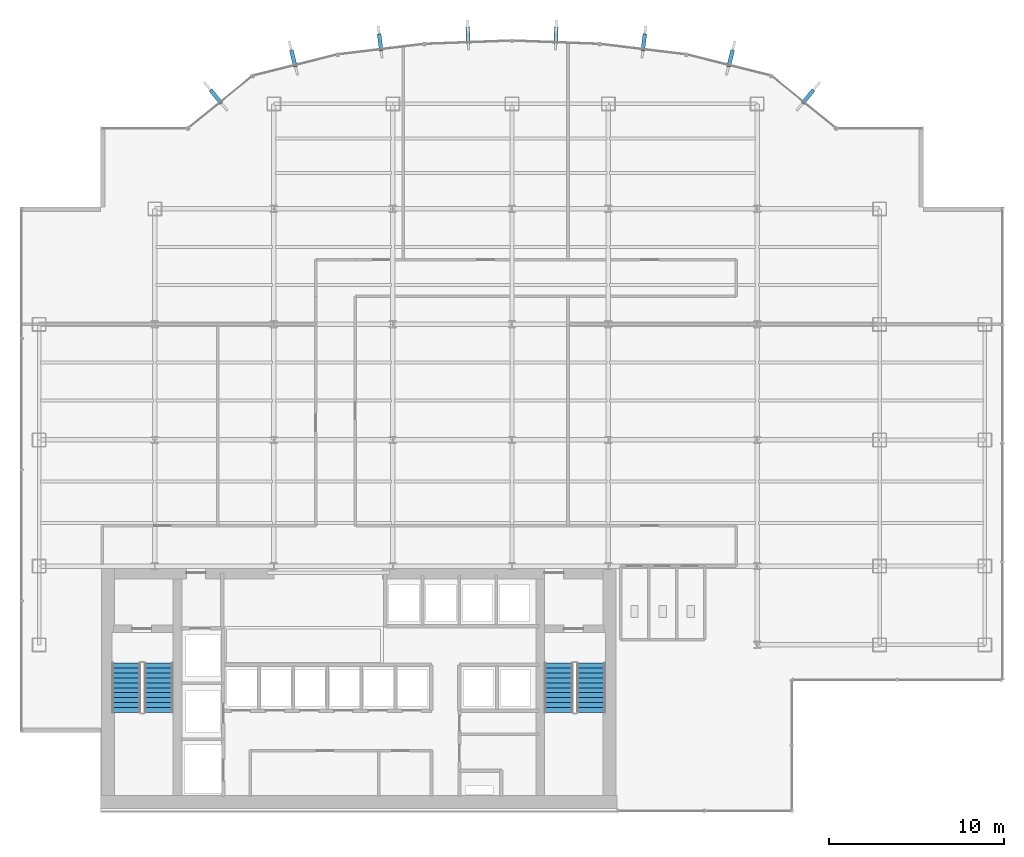
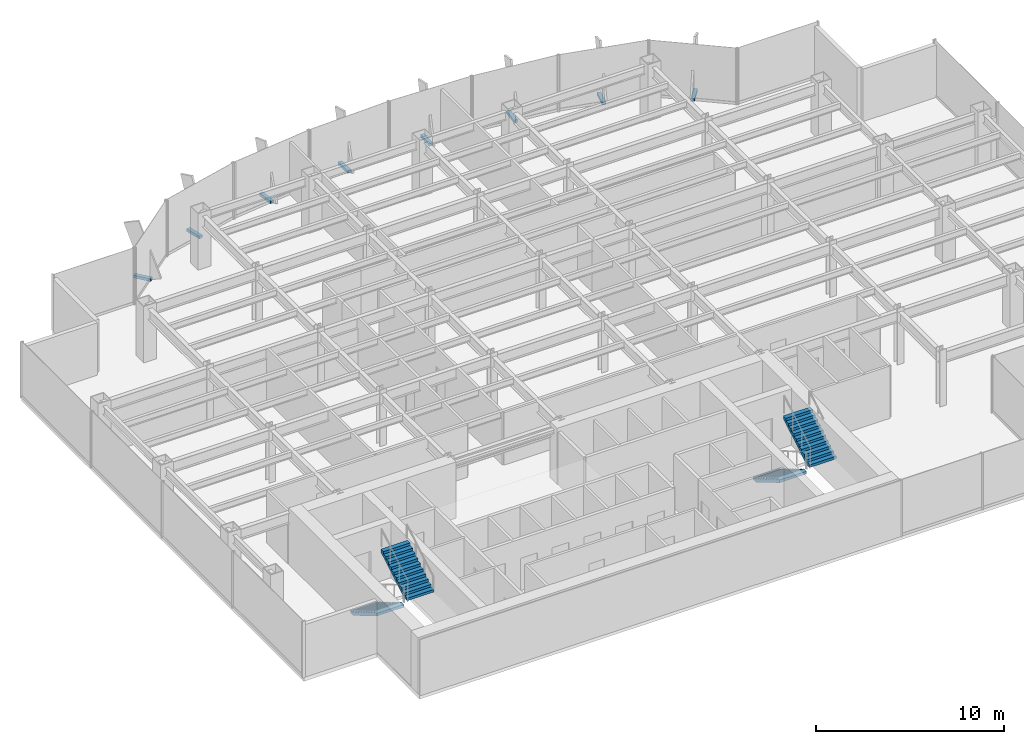
# One storey, part 23 of 26: 8 discrete accessories, 4 stair flights, 2 elements without a shape of their own.
"""IFC4 building model written with IfcOpenShell, lengths in metres."""

from ifc_helpers import new_model, si_unit, derived_unit, direction, frame, origin, origin_2d, place, context, subcontext, project, spatial, polyline, rectangle, outline, extrude, source, transform, mapped, material, type_object, element, aggregate, save


model = new_model("IFC4")

# Units and contexts
model_context = context("Model", 3, precision=1e-05, world=origin(), true_north=direction((0.0, 1.0)))
body_context = subcontext(model_context, "Body", "Model", "MODEL_VIEW")
ifc_project = project(units=[si_unit("LENGTHUNIT", "METRE"), si_unit("AREAUNIT", "SQUARE_METRE"), si_unit("VOLUMEUNIT", "CUBIC_METRE"), si_unit("PLANEANGLEUNIT", "RADIAN"), si_unit("MASSUNIT", "GRAM", prefix="KILO"), derived_unit("THERMALTRANSMITTANCEUNIT", [(si_unit("POWERUNIT", "WATT"), 1), (si_unit("LENGTHUNIT", "METRE"), -2), (si_unit("THERMODYNAMICTEMPERATUREUNIT", "KELVIN"), -1)])], contexts=[model_context])

# Site, building, storey
site_placement = place(None, origin())
site = spatial("IfcSite", under=ifc_project, at=site_placement, CompositionType="ELEMENT")
building_placement = place(site_placement, origin())
building = spatial("IfcBuilding", under=site, at=building_placement, Name="Skarnbrae Concourse Arena and Tower", CompositionType="ELEMENT")
storey_placement = place(building_placement, frame((0.0, 0.0, 92.300048828125)))
storey = spatial("IfcBuildingStorey", under=building, at=storey_placement, Name="L22", CompositionType="ELEMENT", Elevation=92.300048828125)

# Stair, stair flights
ifc_material_1 = material(Name="Concrete 40 MPa (C40/50)", Category="concrete")
stair_type = type_object("IfcStairType", Name="STAIR-DOGLEG-1650", PredefinedType="HALF_TURN_STAIR", material=ifc_material_1)
stair_1_placement = place(storey_placement, origin())
stair_1 = element("IfcStair", 1, at=stair_1_placement, inside=storey, type_object=stair_type, Name="L22 Protected Exit Stair ST-1", PredefinedType="HALF_TURN_STAIR")
stair_flight_type = type_object("IfcStairFlightType", Name="FLIGHT-STRAIGHT-1650", PredefinedType="STRAIGHT", material=ifc_material_1)
shared_shape_1 = source(origin(), body_context, "Body", "SweptSolid", [
    extrude(outline(polyline([(0.0, 0.0), (0.0, 0.166015625), (0.280029296875, 0.166015625), (0.280029296875, 0.331787109375), (0.56005859375, 0.331787109375), (0.56005859375, 0.497802734375), (0.840087890625, 0.497802734375), (0.840087890625, 0.66357421875), (1.1201171875, 0.66357421875), (1.1201171875, 0.82958984375), (1.39990234375, 0.82958984375), (1.39990234375, 0.995361328125), (1.679931640625, 0.995361328125), (1.679931640625, 1.161376953125), (1.9599609375, 1.161376953125), (1.9599609375, 1.327392578125), (2.239990234375, 1.327392578125), (2.239990234375, 1.4931640625), (2.52001953125, 1.4931640625), (2.52001953125, 1.6591796875), (2.800048828125, 1.6591796875), (2.800048828125, 1.824951171875), (2.800048828125, 1.48486328125), (0.2939453125, 0.0), (0.0, 0.0)])), frame((0.0, 0.824951171875, 0.0), z_axis=(0.0, -1.0, 0.0), x_axis=(1.0, 0.0, 0.0)), (0.0, 0.0, 1.0), 1.64990234375),
])
stair_flight_1_placement = place(storey_placement, frame((5.97509765625, 8.449951171875, 0.0), z_axis=(0.0, 0.0, 1.0), x_axis=(0.0, -1.0, 0.0)))
stair_flight_1 = element("IfcStairFlight", 2, at=stair_flight_1_placement, type_object=stair_flight_type, Name="ST-1 flight 1", NumberOfRisers=11, NumberOfTreads=10, PredefinedType="STRAIGHT", RiserHeight=0.165909091, TreadLength=0.28, context=body_context, shape_type="MappedRepresentation", body=[
    mapped(shared_shape_1, transform((0.0, 0.0, 0.0))),
])
stair_flight_2_placement = place(storey_placement, frame((7.824951171875, 5.64990234375, 1.824951171875), z_axis=(0.0, 0.0, 1.0), x_axis=(0.0, 1.0, 0.0)))
stair_flight_2 = element("IfcStairFlight", 3, at=stair_flight_2_placement, type_object=stair_flight_type, Name="ST-1 flight 2", NumberOfRisers=11, NumberOfTreads=10, PredefinedType="STRAIGHT", RiserHeight=0.165909091, TreadLength=0.28, context=body_context, shape_type="MappedRepresentation", body=[
    mapped(shared_shape_1, transform((0.0, 0.0, 0.0))),
])
aggregate(stair_1, [stair_flight_1, stair_flight_2])

stair_2_placement = place(storey_placement, origin())
stair_2 = element("IfcStair", 4, at=stair_2_placement, inside=storey, type_object=stair_type, Name="L22 Protected Exit Stair ST-2", PredefinedType="HALF_TURN_STAIR")
stair_flight_3_placement = place(storey_placement, frame((30.675048828125, 8.449951171875, 0.0), z_axis=(0.0, 0.0, 1.0), x_axis=(0.0, -1.0, 0.0)))
stair_flight_3 = element("IfcStairFlight", 5, at=stair_flight_3_placement, type_object=stair_flight_type, Name="ST-2 flight 1", NumberOfRisers=11, NumberOfTreads=10, PredefinedType="STRAIGHT", RiserHeight=0.165909091, TreadLength=0.28, context=body_context, shape_type="MappedRepresentation", body=[
    mapped(shared_shape_1, transform((0.0, 0.0, 0.0))),
])
stair_flight_4_placement = place(storey_placement, frame((32.52490234375, 5.64990234375, 1.824951171875), z_axis=(0.0, 0.0, 1.0), x_axis=(0.0, 1.0, 0.0)))
stair_flight_4 = element("IfcStairFlight", 6, at=stair_flight_4_placement, type_object=stair_flight_type, Name="ST-2 flight 2", NumberOfRisers=11, NumberOfTreads=10, PredefinedType="STRAIGHT", RiserHeight=0.165909091, TreadLength=0.28, context=body_context, shape_type="MappedRepresentation", body=[
    mapped(shared_shape_1, transform((0.0, 0.0, 0.0))),
])
aggregate(stair_2, [stair_flight_3, stair_flight_4])

# Discrete accessories
ifc_material_2 = material(Name="Bronze anodised aluminium 6063-T6", Category="aluminium")
discrete_accessory_type = type_object("IfcDiscreteAccessoryType", Name="ACC-FIN-BRACKET", PredefinedType="BRACKET", material=ifc_material_2)
shared_shape_2 = source(origin(), body_context, "Body", "SweptSolid", [
    extrude(rectangle(XDim=0.219970703125, YDim=0.97998046875, at=origin_2d()), origin(), (0.0, 0.0, 1.0), 0.179931640625),
])
for number, where, z_axis, x_axis, name in (
    (7, (44.90771484375, 40.80859375, -0.02978515625), (0.0, 0.0, 1.0), (0.776244501415, -0.630431974144, 0.0), "L22 Bronze fin foot support bracket 08"),
    (8, (40.485107421875, 42.992431640625, -0.02978515625), (0.0, 0.0, 1.0), (0.969901771235, -0.243496517748, 0.0), "L22 Bronze fin foot support bracket 09"),
    (9, (35.529541015625, 43.910400390625, -0.02978515625), (0.0, 0.0, 1.0), (0.992748952377, -0.120206146079, 0.0), "L22 Bronze fin foot support bracket 10"),
    (10, (30.514404296875, 44.306640625, -0.02978515625), (0.0, 0.0, 1.0), (0.999308421355, -0.037184392011, 0.0), "L22 Bronze fin foot support bracket 11"),
    (11, (25.485595703125, 44.306640625, -0.02978515625), (0.0, 0.0, 1.0), (0.999308421355, 0.037184392011, 0.0), "L22 Bronze fin foot support bracket 12"),
    (12, (20.470458984375, 43.910400390625, -0.02978515625), (0.0, 0.0, 1.0), (0.992748952377, 0.120206146079, 0.0), "L22 Bronze fin foot support bracket 13"),
    (13, (15.514892578125, 42.992431640625, -0.02978515625), (0.0, 0.0, 1.0), (0.969901771235, 0.243496517748, 0.0), "L22 Bronze fin foot support bracket 14"),
    (14, (11.09228515625, 40.80859375, -0.02978515625), (0.0, 0.0, 1.0), (0.776244501415, 0.630431974144, 0.0), "L22 Bronze fin foot support bracket 15"),
):
    element("IfcDiscreteAccessory", number, at=place(storey_placement, frame(where, z_axis=z_axis, x_axis=x_axis)), inside=storey, type_object=discrete_accessory_type, Name=name, PredefinedType="BRACKET", context=body_context, shape_type="MappedRepresentation", body=[
        mapped(shared_shape_2, transform((0.0, 0.0, 0.0))),
    ])

save(model, "model.ifc")
